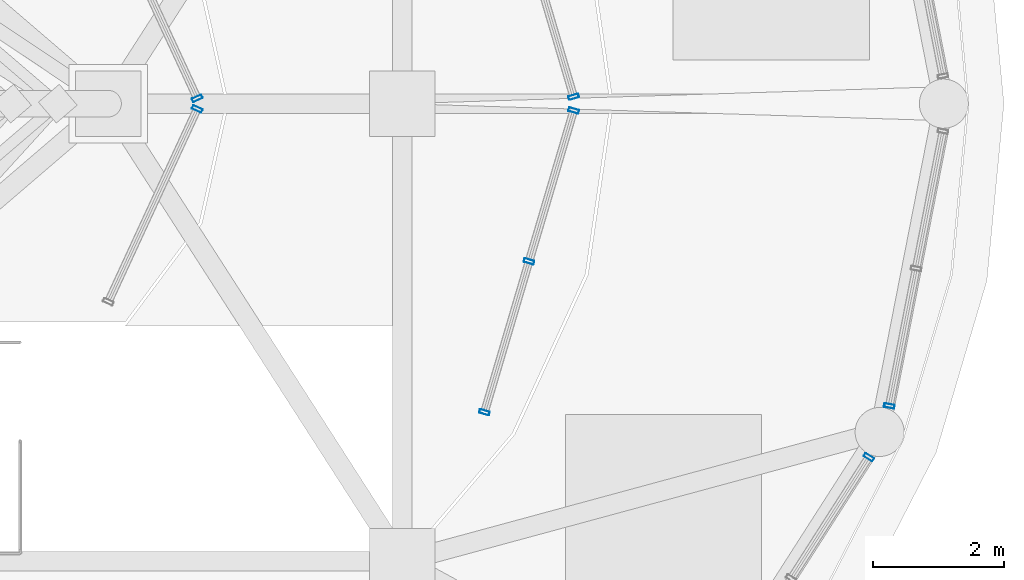
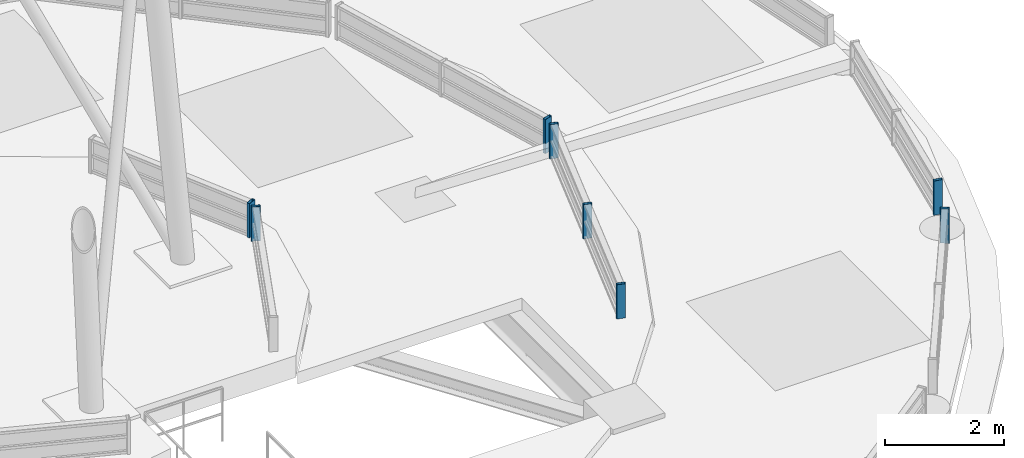
# One storey, part 12 of 21: 8 members, 6 elements without a shape of their own.
"""IFC4 building model written with IfcOpenShell, lengths in metres."""

from ifc_helpers import new_model, si_unit, direction, frame, origin, origin_2d, place, context, subcontext, project, spatial, hollow_rectangle, extrude, material, layer, layer_set, material_profile, profile_set, type_object, element, aggregate, save


model = new_model("IFC4")

# Units and contexts
model_context = context("Model", 3, precision=1e-05, world=origin(), true_north=direction((0.0, 1.0)))
body_context = subcontext(model_context, "Body", "Model", "MODEL_VIEW")
ifc_project = project(units=[si_unit("LENGTHUNIT", "METRE"), si_unit("AREAUNIT", "SQUARE_METRE"), si_unit("VOLUMEUNIT", "CUBIC_METRE"), si_unit("PLANEANGLEUNIT", "RADIAN"), si_unit("MASSUNIT", "GRAM", prefix="KILO")], contexts=[model_context])

# Site, building, storey
site_placement = place(None, origin())
site = spatial("IfcSite", under=ifc_project, at=site_placement, CompositionType="ELEMENT")
building_placement = place(site_placement, origin())
building = spatial("IfcBuilding", under=site, at=building_placement, Name="Kelanora Arch Commons", CompositionType="ELEMENT")
storey_placement = place(building_placement, frame((0.0, 0.0, 311.10009765625)))
storey = spatial("IfcBuildingStorey", under=building, at=storey_placement, Name="RF", CompositionType="ELEMENT", Elevation=311.10009765625)

# Curtain wall, member
ifc_material_1 = material(Name="Terracotta ceramic-fritted low-E glass and aluminium", Category="masonry")
ifc_layer = layer(ifc_material_1, 0.14990234375)
ifc_layer_set = layer_set([ifc_layer], Name="Terracotta ceramic-fritted low-E glass and aluminium")
curtain_wall_type = type_object("IfcCurtainWallType", Name="CW-SYS-06", PredefinedType="NOTDEFINED", material=ifc_layer_set)
curtain_wall_1_placement = place(storey_placement, origin())
curtain_wall_1 = element("IfcCurtainWall", 1, at=curtain_wall_1_placement, inside=storey, type_object=curtain_wall_type, Name="Sloped Glass Crown Lantern T1-17", PredefinedType="NOTDEFINED")
ifc_material_2 = material(Name="Powder-coated aluminium terracotta", Category="masonry")
ifc_material_profile = material_profile(ifc_material_2, hollow_rectangle(XDim=0.159912109375, YDim=0.06005859375, WallThickness=0.0048828125, InnerFilletRadius=0.0048828125, OuterFilletRadius=0.010009765625, at=origin_2d()), Name="CWM160x60")
ifc_profile_set = profile_set([ifc_material_profile], Name="Powder-coated aluminium terracotta")
member_type = type_object("IfcMemberType", Name="CWM-STD", PredefinedType="MULLION", material=ifc_profile_set)
member_1_placement = place(storey_placement, frame((89.13232421875, 52.593017578125, 0.58984375), z_axis=(0.0, 0.0, 1.0), x_axis=(-0.842271400663, 0.539053696421, 0.0)))
member_1 = element("IfcMember", 2, at=member_1_placement, type_object=member_type, Name="CW-06 mullion 3", PredefinedType="MULLION", context=body_context, shape_type="SweptSolid", body=[
    extrude(hollow_rectangle(XDim=0.159912109375, YDim=0.06005859375, WallThickness=0.0048828125, InnerFilletRadius=0.0048828125, OuterFilletRadius=0.010009765625, at=origin_2d()), origin(), (0.0, 0.0, 1.0), 0.699951171875),
])
aggregate(curtain_wall_1, [member_1])

curtain_wall_2_placement = place(storey_placement, origin())
curtain_wall_2 = element("IfcCurtainWall", 3, at=curtain_wall_2_placement, inside=storey, type_object=curtain_wall_type, Name="Sloped Glass Crown Lantern T1-18", PredefinedType="NOTDEFINED")
member_2_placement = place(storey_placement, frame((89.446533203125, 53.377197265625, 0.58984375), z_axis=(0.0, 0.0, 1.0), x_axis=(-0.98142737239, 0.191834076021, 0.0)))
member_2 = element("IfcMember", 4, at=member_2_placement, type_object=member_type, Name="CW-06 mullion 1", PredefinedType="MULLION", context=body_context, shape_type="SweptSolid", body=[
    extrude(hollow_rectangle(XDim=0.159912109375, YDim=0.06005859375, WallThickness=0.0048828125, InnerFilletRadius=0.0048828125, OuterFilletRadius=0.010009765625, at=origin_2d()), origin(), (0.0, 0.0, 1.0), 0.699951171875),
])
aggregate(curtain_wall_2, [member_2])

curtain_wall_3_placement = place(storey_placement, origin())
curtain_wall_3 = element("IfcCurtainWall", 5, at=curtain_wall_3_placement, inside=storey, type_object=curtain_wall_type, Name="Sloped Glass Crown Lantern T2-01", PredefinedType="NOTDEFINED")
member_3_placement = place(storey_placement, frame((84.618896484375, 58.10546875, 0.68994140625), z_axis=(0.0, 0.0, 1.0), x_axis=(-0.958953283156, -0.283564103379, 0.0)))
member_3 = element("IfcMember", 6, at=member_3_placement, type_object=member_type, Name="CW-06 mullion 1", PredefinedType="MULLION", context=body_context, shape_type="SweptSolid", body=[
    extrude(hollow_rectangle(XDim=0.159912109375, YDim=0.06005859375, WallThickness=0.0048828125, InnerFilletRadius=0.0048828125, OuterFilletRadius=0.010009765625, at=origin_2d()), origin(), (0.0, 0.0, 1.0), 0.699951171875),
])
aggregate(curtain_wall_3, [member_3])

# Curtain wall, members
curtain_wall_4_placement = place(storey_placement, origin())
curtain_wall_4 = element("IfcCurtainWall", 7, at=curtain_wall_4_placement, inside=storey, type_object=curtain_wall_type, Name="Sloped Glass Crown Lantern T2-12", PredefinedType="NOTDEFINED")
member_4_placement = place(storey_placement, frame((83.25439453125, 53.280517578125, 0.68994140625), z_axis=(0.0, 0.0, 1.0), x_axis=(-0.958953283156, 0.283564103379, 0.0)))
member_4 = element("IfcMember", 8, at=member_4_placement, type_object=member_type, Name="CW-06 mullion 1", PredefinedType="MULLION", context=body_context, shape_type="SweptSolid", body=[
    extrude(hollow_rectangle(XDim=0.159912109375, YDim=0.06005859375, WallThickness=0.0048828125, InnerFilletRadius=0.0048828125, OuterFilletRadius=0.010009765625, at=origin_2d()), origin(), (0.0, 0.0, 1.0), 0.699951171875),
])
member_5_placement = place(storey_placement, frame((83.9365234375, 55.58740234375, 0.68994140625), z_axis=(0.0, 0.0, 1.0), x_axis=(-0.958953283156, 0.283564103379, 0.0)))
member_5 = element("IfcMember", 9, at=member_5_placement, type_object=member_type, Name="CW-06 mullion 2", PredefinedType="MULLION", context=body_context, shape_type="SweptSolid", body=[
    extrude(hollow_rectangle(XDim=0.159912109375, YDim=0.06005859375, WallThickness=0.0048828125, InnerFilletRadius=0.0048828125, OuterFilletRadius=0.010009765625, at=origin_2d()), origin(), (0.0, 0.0, 1.0), 0.699951171875),
])
member_6_placement = place(storey_placement, frame((84.618896484375, 57.89453125, 0.68994140625), z_axis=(0.0, 0.0, 1.0), x_axis=(-0.958953283156, 0.283564103379, 0.0)))
member_6 = element("IfcMember", 10, at=member_6_placement, type_object=member_type, Name="CW-06 mullion 3", PredefinedType="MULLION", context=body_context, shape_type="SweptSolid", body=[
    extrude(hollow_rectangle(XDim=0.159912109375, YDim=0.06005859375, WallThickness=0.0048828125, InnerFilletRadius=0.0048828125, OuterFilletRadius=0.010009765625, at=origin_2d()), origin(), (0.0, 0.0, 1.0), 0.699951171875),
])
aggregate(curtain_wall_4, [member_4, member_5, member_6])

# Curtain wall, member
curtain_wall_5_placement = place(storey_placement, origin())
curtain_wall_5 = element("IfcCurtainWall", 11, at=curtain_wall_5_placement, inside=storey, type_object=curtain_wall_type, Name="Sloped Glass Crown Lantern T3-01", PredefinedType="NOTDEFINED")
member_7_placement = place(storey_placement, frame((78.8623046875, 58.081787109375, 1.0), z_axis=(0.0, 0.0, 1.0), x_axis=(-0.908037267416, -0.418889389916, 0.0)))
member_7 = element("IfcMember", 12, at=member_7_placement, type_object=member_type, Name="CW-06 mullion 1", PredefinedType="MULLION", context=body_context, shape_type="SweptSolid", body=[
    extrude(hollow_rectangle(XDim=0.159912109375, YDim=0.06005859375, WallThickness=0.0048828125, InnerFilletRadius=0.0048828125, OuterFilletRadius=0.010009765625, at=origin_2d()), origin(), (0.0, 0.0, 1.0), 0.699951171875),
])
aggregate(curtain_wall_5, [member_7])

curtain_wall_6_placement = place(storey_placement, origin())
curtain_wall_6 = element("IfcCurtainWall", 13, at=curtain_wall_6_placement, inside=storey, type_object=curtain_wall_type, Name="Sloped Glass Crown Lantern T3-08", PredefinedType="NOTDEFINED")
member_8_placement = place(storey_placement, frame((78.8623046875, 57.918212890625, 1.0), z_axis=(0.0, 0.0, 1.0), x_axis=(-0.908037267416, 0.418889389916, 0.0)))
member_8 = element("IfcMember", 14, at=member_8_placement, type_object=member_type, Name="CW-06 mullion 2", PredefinedType="MULLION", context=body_context, shape_type="SweptSolid", body=[
    extrude(hollow_rectangle(XDim=0.159912109375, YDim=0.06005859375, WallThickness=0.0048828125, InnerFilletRadius=0.0048828125, OuterFilletRadius=0.010009765625, at=origin_2d()), origin(), (0.0, 0.0, 1.0), 0.699951171875),
])
aggregate(curtain_wall_6, [member_8])

save(model, "model.ifc")
